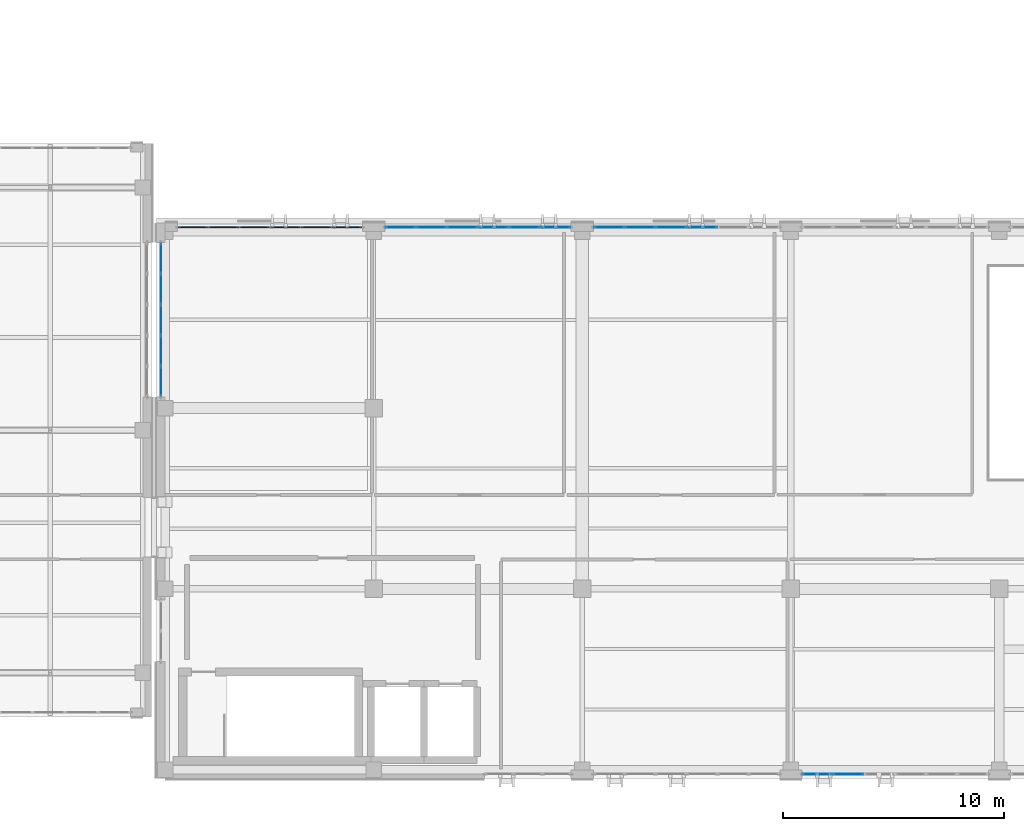
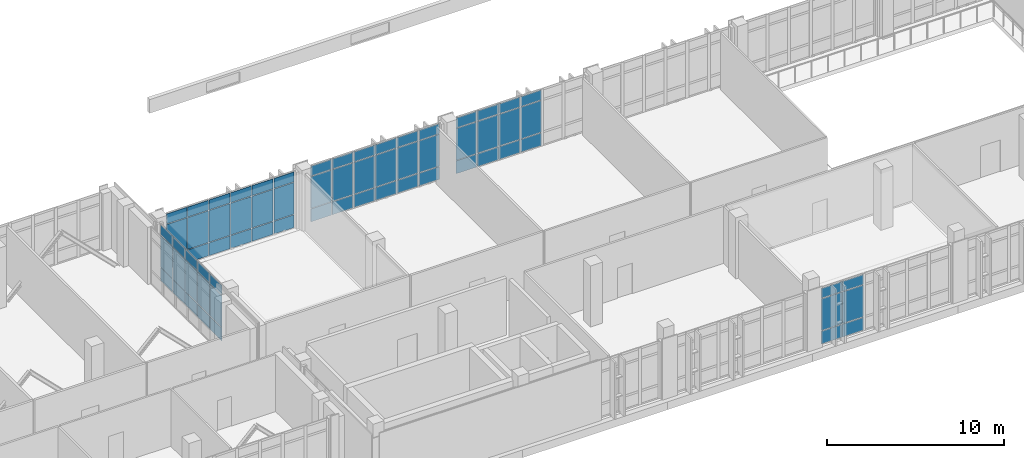
# One storey, part 113 of 158: 69 plates, 5 elements without a shape of their own.
"""IFC4 building model written with IfcOpenShell, lengths in metres."""

from ifc_helpers import new_model, si_unit, direction, frame, origin, origin_2d, place, context, subcontext, project, spatial, rectangle, extrude, material, layer, layer_set, type_object, element, aggregate, save


model = new_model("IFC4")

# Units and contexts
model_context = context("Model", 3, precision=1e-05, world=origin(), true_north=direction((0.0, 1.0)))
body_context = subcontext(model_context, "Body", "Model", "MODEL_VIEW")
ifc_project = project(units=[si_unit("LENGTHUNIT", "METRE"), si_unit("AREAUNIT", "SQUARE_METRE"), si_unit("VOLUMEUNIT", "CUBIC_METRE"), si_unit("PLANEANGLEUNIT", "RADIAN"), si_unit("MASSUNIT", "GRAM", prefix="KILO")], contexts=[model_context])

# Site, building, storey
site_placement = place(None, origin())
site = spatial("IfcSite", under=ifc_project, at=site_placement, CompositionType="ELEMENT")
building_placement = place(site_placement, origin())
building = spatial("IfcBuilding", under=site, at=building_placement, Name="Qalavern Law Courts", CompositionType="ELEMENT")
storey_placement = place(building_placement, frame((0.0, 0.0, 18.60009765625)))
storey = spatial("IfcBuildingStorey", under=building, at=storey_placement, Name="L04", CompositionType="ELEMENT", Elevation=18.60009765625)

# Curtain wall, plates
ifc_material_1 = material(Name="Anodised aluminium and insulated glazing", Category="aluminium")
ifc_layer_1 = layer(ifc_material_1, 0.18505859375)
ifc_layer_set_1 = layer_set([ifc_layer_1], Name="Anodised aluminium and insulated glazing")
curtain_wall_type = type_object("IfcCurtainWallType", Name="ENV-CW-HALL", PredefinedType="USERDEFINED", material=ifc_layer_set_1)
curtain_wall_1_placement = place(storey_placement, origin())
curtain_wall_1 = element("IfcCurtainWall", 1, at=curtain_wall_1_placement, inside=storey, type_object=curtain_wall_type, Name="V2 unitised curtain wall L04 west 1", ObjectType="UNITISED CURTAIN WALL", PredefinedType="USERDEFINED")
ifc_material_2 = material(Name="Insulated low-E acoustic glazing", Category="glass")
ifc_layer_2 = layer(ifc_material_2, 0.02392578125)
ifc_layer_set_2 = layer_set([ifc_layer_2], Name="Insulated low-E acoustic glazing")
plate_type_1 = type_object("IfcPlateType", Name="ENV-CWP-24", PredefinedType="CURTAIN_PANEL", material=ifc_layer_set_2)
plate_1_placement = place(storey_placement, frame((34.419921875, 28.7880859375, 0.0478515625), z_axis=(0.0, 0.0, 1.0), x_axis=(0.0, -1.0, 0.0)))
plate_1 = element("IfcPlate", 2, at=plate_1_placement, type_object=plate_type_1, Name="CW-02 panel 1.1", PredefinedType="CURTAIN_PANEL", context=body_context, shape_type="SweptSolid", body=[
    extrude(rectangle(XDim=1.327880859375, YDim=0.02392578125, at=origin_2d()), origin(), (0.0, 0.0, 1.0), 0.8779296875),
])
plate_2_placement = place(storey_placement, frame((34.419921875, 28.7880859375, 0.97412109375), z_axis=(0.0, 0.0, 1.0), x_axis=(0.0, -1.0, 0.0)))
plate_2 = element("IfcPlate", 3, at=plate_2_placement, type_object=plate_type_1, Name="CW-02 panel 1.2", PredefinedType="CURTAIN_PANEL", context=body_context, shape_type="SweptSolid", body=[
    extrude(rectangle(XDim=1.327880859375, YDim=0.02392578125, at=origin_2d()), origin(), (0.0, 0.0, 1.0), 2.177001953125),
])
plate_3_placement = place(storey_placement, frame((34.419921875, 28.7880859375, 3.19873046875), z_axis=(0.0, 0.0, 1.0), x_axis=(0.0, -1.0, 0.0)))
plate_3 = element("IfcPlate", 4, at=plate_3_placement, type_object=plate_type_1, Name="CW-02 panel 1.3", PredefinedType="CURTAIN_PANEL", context=body_context, shape_type="SweptSolid", body=[
    extrude(rectangle(XDim=1.327880859375, YDim=0.02392578125, at=origin_2d()), origin(), (0.0, 0.0, 1.0), 0.677978515625),
])
plate_4_placement = place(storey_placement, frame((34.419921875, 27.39990234375, 0.0478515625), z_axis=(0.0, 0.0, 1.0), x_axis=(0.0, -1.0, 0.0)))
plate_4 = element("IfcPlate", 5, at=plate_4_placement, type_object=plate_type_1, Name="CW-02 panel 2.1", PredefinedType="CURTAIN_PANEL", context=body_context, shape_type="SweptSolid", body=[
    extrude(rectangle(XDim=1.35205078125, YDim=0.02392578125, at=origin_2d()), origin(), (0.0, 0.0, 1.0), 0.8779296875),
])
plate_5_placement = place(storey_placement, frame((34.419921875, 27.39990234375, 0.97412109375), z_axis=(0.0, 0.0, 1.0), x_axis=(0.0, -1.0, 0.0)))
plate_5 = element("IfcPlate", 6, at=plate_5_placement, type_object=plate_type_1, Name="CW-02 panel 2.2", PredefinedType="CURTAIN_PANEL", context=body_context, shape_type="SweptSolid", body=[
    extrude(rectangle(XDim=1.35205078125, YDim=0.02392578125, at=origin_2d()), origin(), (0.0, 0.0, 1.0), 2.177001953125),
])
plate_6_placement = place(storey_placement, frame((34.419921875, 27.39990234375, 3.19873046875), z_axis=(0.0, 0.0, 1.0), x_axis=(0.0, -1.0, 0.0)))
plate_6 = element("IfcPlate", 7, at=plate_6_placement, type_object=plate_type_1, Name="CW-02 panel 2.3", PredefinedType="CURTAIN_PANEL", context=body_context, shape_type="SweptSolid", body=[
    extrude(rectangle(XDim=1.35205078125, YDim=0.02392578125, at=origin_2d()), origin(), (0.0, 0.0, 1.0), 0.677978515625),
])
plate_7_placement = place(storey_placement, frame((34.419921875, 26.0, 0.0478515625), z_axis=(0.0, 0.0, 1.0), x_axis=(0.0, -1.0, 0.0)))
plate_7 = element("IfcPlate", 8, at=plate_7_placement, type_object=plate_type_1, Name="CW-02 panel 3.1", PredefinedType="CURTAIN_PANEL", context=body_context, shape_type="SweptSolid", body=[
    extrude(rectangle(XDim=1.35205078125, YDim=0.02392578125, at=origin_2d()), origin(), (0.0, 0.0, 1.0), 0.8779296875),
])
plate_8_placement = place(storey_placement, frame((34.419921875, 26.0, 0.97412109375), z_axis=(0.0, 0.0, 1.0), x_axis=(0.0, -1.0, 0.0)))
plate_8 = element("IfcPlate", 9, at=plate_8_placement, type_object=plate_type_1, Name="CW-02 panel 3.2", PredefinedType="CURTAIN_PANEL", context=body_context, shape_type="SweptSolid", body=[
    extrude(rectangle(XDim=1.35205078125, YDim=0.02392578125, at=origin_2d()), origin(), (0.0, 0.0, 1.0), 2.177001953125),
])
plate_9_placement = place(storey_placement, frame((34.419921875, 26.0, 3.19873046875), z_axis=(0.0, 0.0, 1.0), x_axis=(0.0, -1.0, 0.0)))
plate_9 = element("IfcPlate", 10, at=plate_9_placement, type_object=plate_type_1, Name="CW-02 panel 3.3", PredefinedType="CURTAIN_PANEL", context=body_context, shape_type="SweptSolid", body=[
    extrude(rectangle(XDim=1.35205078125, YDim=0.02392578125, at=origin_2d()), origin(), (0.0, 0.0, 1.0), 0.677978515625),
])
plate_10_placement = place(storey_placement, frame((34.419921875, 24.60009765625, 0.0478515625), z_axis=(0.0, 0.0, 1.0), x_axis=(0.0, -1.0, 0.0)))
plate_10 = element("IfcPlate", 11, at=plate_10_placement, type_object=plate_type_1, Name="CW-02 panel 4.1", PredefinedType="CURTAIN_PANEL", context=body_context, shape_type="SweptSolid", body=[
    extrude(rectangle(XDim=1.35205078125, YDim=0.02392578125, at=origin_2d()), origin(), (0.0, 0.0, 1.0), 0.8779296875),
])
plate_11_placement = place(storey_placement, frame((34.419921875, 24.60009765625, 0.97412109375), z_axis=(0.0, 0.0, 1.0), x_axis=(0.0, -1.0, 0.0)))
plate_11 = element("IfcPlate", 12, at=plate_11_placement, type_object=plate_type_1, Name="CW-02 panel 4.2", PredefinedType="CURTAIN_PANEL", context=body_context, shape_type="SweptSolid", body=[
    extrude(rectangle(XDim=1.35205078125, YDim=0.02392578125, at=origin_2d()), origin(), (0.0, 0.0, 1.0), 2.177001953125),
])
plate_12_placement = place(storey_placement, frame((34.419921875, 24.60009765625, 3.19873046875), z_axis=(0.0, 0.0, 1.0), x_axis=(0.0, -1.0, 0.0)))
plate_12 = element("IfcPlate", 13, at=plate_12_placement, type_object=plate_type_1, Name="CW-02 panel 4.3", PredefinedType="CURTAIN_PANEL", context=body_context, shape_type="SweptSolid", body=[
    extrude(rectangle(XDim=1.35205078125, YDim=0.02392578125, at=origin_2d()), origin(), (0.0, 0.0, 1.0), 0.677978515625),
])
plate_13_placement = place(storey_placement, frame((34.419921875, 23.2119140625, 0.0478515625), z_axis=(0.0, 0.0, 1.0), x_axis=(0.0, -1.0, 0.0)))
plate_13 = element("IfcPlate", 14, at=plate_13_placement, type_object=plate_type_1, Name="CW-02 panel 5.1", PredefinedType="CURTAIN_PANEL", context=body_context, shape_type="SweptSolid", body=[
    extrude(rectangle(XDim=1.327880859375, YDim=0.02392578125, at=origin_2d()), origin(), (0.0, 0.0, 1.0), 0.8779296875),
])
plate_14_placement = place(storey_placement, frame((34.419921875, 23.2119140625, 0.97412109375), z_axis=(0.0, 0.0, 1.0), x_axis=(0.0, -1.0, 0.0)))
plate_14 = element("IfcPlate", 15, at=plate_14_placement, type_object=plate_type_1, Name="CW-02 panel 5.2", PredefinedType="CURTAIN_PANEL", context=body_context, shape_type="SweptSolid", body=[
    extrude(rectangle(XDim=1.327880859375, YDim=0.02392578125, at=origin_2d()), origin(), (0.0, 0.0, 1.0), 2.177001953125),
])
plate_15_placement = place(storey_placement, frame((34.419921875, 23.2119140625, 3.19873046875), z_axis=(0.0, 0.0, 1.0), x_axis=(0.0, -1.0, 0.0)))
plate_15 = element("IfcPlate", 16, at=plate_15_placement, type_object=plate_type_1, Name="CW-02 panel 5.3", PredefinedType="CURTAIN_PANEL", context=body_context, shape_type="SweptSolid", body=[
    extrude(rectangle(XDim=1.327880859375, YDim=0.02392578125, at=origin_2d()), origin(), (0.0, 0.0, 1.0), 0.677978515625),
])
aggregate(curtain_wall_1, [plate_1, plate_2, plate_3, plate_4, plate_5, plate_6, plate_7, plate_8, plate_9, plate_10, plate_11, plate_12, plate_13, plate_14, plate_15])

curtain_wall_2_placement = place(storey_placement, origin())
curtain_wall_2 = element("IfcCurtainWall", 17, at=curtain_wall_2_placement, inside=storey, type_object=curtain_wall_type, Name="V2 unitised curtain wall L04 south 3", ObjectType="UNITISED CURTAIN WALL", PredefinedType="USERDEFINED")
ifc_layer_3 = layer(ifc_material_2, 0.031982421875)
ifc_layer_set_3 = layer_set([ifc_layer_3], Name="Insulated low-E acoustic glazing")
plate_type_2 = type_object("IfcPlateType", Name="ENV-CWP-32", PredefinedType="CURTAIN_PANEL", material=ifc_layer_set_3)
plate_16_placement = place(storey_placement, frame((64.199462890625, 5.39990234375, 0.0478515625), z_axis=(0.0, 0.0, 1.0), x_axis=(1.0, 0.0, 0.0)))
plate_16 = element("IfcPlate", 18, at=plate_16_placement, type_object=plate_type_2, Name="CW-02 panel 1.1", PredefinedType="CURTAIN_PANEL", context=body_context, shape_type="SweptSolid", body=[
    extrude(rectangle(XDim=1.3369140625, YDim=0.031982421875, at=origin_2d()), origin(), (0.0, 0.0, 1.0), 0.8779296875),
])
plate_17_placement = place(storey_placement, frame((64.199462890625, 5.39990234375, 0.97412109375), z_axis=(0.0, 0.0, 1.0), x_axis=(1.0, 0.0, 0.0)))
plate_17 = element("IfcPlate", 19, at=plate_17_placement, type_object=plate_type_2, Name="CW-02 panel 1.2", PredefinedType="CURTAIN_PANEL", context=body_context, shape_type="SweptSolid", body=[
    extrude(rectangle(XDim=1.3369140625, YDim=0.031982421875, at=origin_2d()), origin(), (0.0, 0.0, 1.0), 2.177001953125),
])
plate_18_placement = place(storey_placement, frame((64.199462890625, 5.39990234375, 3.19873046875), z_axis=(0.0, 0.0, 1.0), x_axis=(1.0, 0.0, 0.0)))
plate_18 = element("IfcPlate", 20, at=plate_18_placement, type_object=plate_type_2, Name="CW-02 panel 1.3", PredefinedType="CURTAIN_PANEL", context=body_context, shape_type="SweptSolid", body=[
    extrude(rectangle(XDim=1.3369140625, YDim=0.031982421875, at=origin_2d()), origin(), (0.0, 0.0, 1.0), 0.677978515625),
])
plate_19_placement = place(storey_placement, frame((65.596435546875, 5.39990234375, 0.0478515625), z_axis=(0.0, 0.0, 1.0), x_axis=(1.0, 0.0, 0.0)))
plate_19 = element("IfcPlate", 21, at=plate_19_placement, type_object=plate_type_2, Name="CW-02 panel 2.1", PredefinedType="CURTAIN_PANEL", context=body_context, shape_type="SweptSolid", body=[
    extrude(rectangle(XDim=1.361083984375, YDim=0.031982421875, at=origin_2d()), origin(), (0.0, 0.0, 1.0), 0.8779296875),
])
plate_20_placement = place(storey_placement, frame((65.596435546875, 5.39990234375, 0.97412109375), z_axis=(0.0, 0.0, 1.0), x_axis=(1.0, 0.0, 0.0)))
plate_20 = element("IfcPlate", 22, at=plate_20_placement, type_object=plate_type_2, Name="CW-02 panel 2.2", PredefinedType="CURTAIN_PANEL", context=body_context, shape_type="SweptSolid", body=[
    extrude(rectangle(XDim=1.361083984375, YDim=0.031982421875, at=origin_2d()), origin(), (0.0, 0.0, 1.0), 2.177001953125),
])
plate_21_placement = place(storey_placement, frame((65.596435546875, 5.39990234375, 3.19873046875), z_axis=(0.0, 0.0, 1.0), x_axis=(1.0, 0.0, 0.0)))
plate_21 = element("IfcPlate", 23, at=plate_21_placement, type_object=plate_type_2, Name="CW-02 panel 2.3", PredefinedType="CURTAIN_PANEL", context=body_context, shape_type="SweptSolid", body=[
    extrude(rectangle(XDim=1.361083984375, YDim=0.031982421875, at=origin_2d()), origin(), (0.0, 0.0, 1.0), 0.677978515625),
])
aggregate(curtain_wall_2, [plate_16, plate_17, plate_18, plate_19, plate_20, plate_21])

curtain_wall_3_placement = place(storey_placement, origin())
curtain_wall_3 = element("IfcCurtainWall", 24, at=curtain_wall_3_placement, inside=storey, type_object=curtain_wall_type, Name="V2 unitised curtain wall L04 north 5", ObjectType="UNITISED CURTAIN WALL", PredefinedType="USERDEFINED")
ifc_layer_4 = layer(ifc_material_2, 0.0400390625)
ifc_layer_set_4 = layer_set([ifc_layer_4], Name="Insulated low-E acoustic glazing")
plate_type_3 = type_object("IfcPlateType", Name="ENV-CWP-40", PredefinedType="CURTAIN_PANEL", material=ifc_layer_set_4)
plate_22_placement = place(storey_placement, frame((58.960205078125, 30.199951171875, 0.0478515625), z_axis=(0.0, 0.0, 1.0), x_axis=(-1.0, 0.0, 0.0)))
plate_22 = element("IfcPlate", 25, at=plate_22_placement, type_object=plate_type_3, Name="CW-02 panel 3.1", PredefinedType="CURTAIN_PANEL", context=body_context, shape_type="SweptSolid", body=[
    extrude(rectangle(XDim=1.361083984375, YDim=0.0400390625, at=origin_2d()), origin(), (0.0, 0.0, 1.0), 0.8779296875),
])
plate_23_placement = place(storey_placement, frame((58.960205078125, 30.199951171875, 0.97412109375), z_axis=(0.0, 0.0, 1.0), x_axis=(-1.0, 0.0, 0.0)))
plate_23 = element("IfcPlate", 26, at=plate_23_placement, type_object=plate_type_3, Name="CW-02 panel 3.2", PredefinedType="CURTAIN_PANEL", context=body_context, shape_type="SweptSolid", body=[
    extrude(rectangle(XDim=1.361083984375, YDim=0.0400390625, at=origin_2d()), origin(), (0.0, 0.0, 1.0), 2.177001953125),
])
plate_24_placement = place(storey_placement, frame((58.960205078125, 30.199951171875, 3.19873046875), z_axis=(0.0, 0.0, 1.0), x_axis=(-1.0, 0.0, 0.0)))
plate_24 = element("IfcPlate", 27, at=plate_24_placement, type_object=plate_type_3, Name="CW-02 panel 3.3", PredefinedType="CURTAIN_PANEL", context=body_context, shape_type="SweptSolid", body=[
    extrude(rectangle(XDim=1.361083984375, YDim=0.0400390625, at=origin_2d()), origin(), (0.0, 0.0, 1.0), 0.677978515625),
])
plate_25_placement = place(storey_placement, frame((57.55126953125, 30.199951171875, 0.0478515625), z_axis=(0.0, 0.0, 1.0), x_axis=(-1.0, 0.0, 0.0)))
plate_25 = element("IfcPlate", 28, at=plate_25_placement, type_object=plate_type_3, Name="CW-02 panel 4.1", PredefinedType="CURTAIN_PANEL", context=body_context, shape_type="SweptSolid", body=[
    extrude(rectangle(XDim=1.361083984375, YDim=0.0400390625, at=origin_2d()), origin(), (0.0, 0.0, 1.0), 0.8779296875),
])
plate_26_placement = place(storey_placement, frame((57.55126953125, 30.199951171875, 0.97412109375), z_axis=(0.0, 0.0, 1.0), x_axis=(-1.0, 0.0, 0.0)))
plate_26 = element("IfcPlate", 29, at=plate_26_placement, type_object=plate_type_3, Name="CW-02 panel 4.2", PredefinedType="CURTAIN_PANEL", context=body_context, shape_type="SweptSolid", body=[
    extrude(rectangle(XDim=1.361083984375, YDim=0.0400390625, at=origin_2d()), origin(), (0.0, 0.0, 1.0), 2.177001953125),
])
plate_27_placement = place(storey_placement, frame((57.55126953125, 30.199951171875, 3.19873046875), z_axis=(0.0, 0.0, 1.0), x_axis=(-1.0, 0.0, 0.0)))
plate_27 = element("IfcPlate", 30, at=plate_27_placement, type_object=plate_type_3, Name="CW-02 panel 4.3", PredefinedType="CURTAIN_PANEL", context=body_context, shape_type="SweptSolid", body=[
    extrude(rectangle(XDim=1.361083984375, YDim=0.0400390625, at=origin_2d()), origin(), (0.0, 0.0, 1.0), 0.677978515625),
])
plate_28_placement = place(storey_placement, frame((56.14208984375, 30.199951171875, 0.0478515625), z_axis=(0.0, 0.0, 1.0), x_axis=(-1.0, 0.0, 0.0)))
plate_28 = element("IfcPlate", 31, at=plate_28_placement, type_object=plate_type_3, Name="CW-02 panel 5.1", PredefinedType="CURTAIN_PANEL", context=body_context, shape_type="SweptSolid", body=[
    extrude(rectangle(XDim=1.361083984375, YDim=0.0400390625, at=origin_2d()), origin(), (0.0, 0.0, 1.0), 0.8779296875),
])
plate_29_placement = place(storey_placement, frame((56.14208984375, 30.199951171875, 0.97412109375), z_axis=(0.0, 0.0, 1.0), x_axis=(-1.0, 0.0, 0.0)))
plate_29 = element("IfcPlate", 32, at=plate_29_placement, type_object=plate_type_3, Name="CW-02 panel 5.2", PredefinedType="CURTAIN_PANEL", context=body_context, shape_type="SweptSolid", body=[
    extrude(rectangle(XDim=1.361083984375, YDim=0.0400390625, at=origin_2d()), origin(), (0.0, 0.0, 1.0), 2.177001953125),
])
plate_30_placement = place(storey_placement, frame((56.14208984375, 30.199951171875, 3.19873046875), z_axis=(0.0, 0.0, 1.0), x_axis=(-1.0, 0.0, 0.0)))
plate_30 = element("IfcPlate", 33, at=plate_30_placement, type_object=plate_type_3, Name="CW-02 panel 5.3", PredefinedType="CURTAIN_PANEL", context=body_context, shape_type="SweptSolid", body=[
    extrude(rectangle(XDim=1.361083984375, YDim=0.0400390625, at=origin_2d()), origin(), (0.0, 0.0, 1.0), 0.677978515625),
])
plate_31_placement = place(storey_placement, frame((54.7451171875, 30.199951171875, 0.0478515625), z_axis=(0.0, 0.0, 1.0), x_axis=(-1.0, 0.0, 0.0)))
plate_31 = element("IfcPlate", 34, at=plate_31_placement, type_object=plate_type_3, Name="CW-02 panel 6.1", PredefinedType="CURTAIN_PANEL", context=body_context, shape_type="SweptSolid", body=[
    extrude(rectangle(XDim=1.337158203125, YDim=0.0400390625, at=origin_2d()), origin(), (0.0, 0.0, 1.0), 0.8779296875),
])
plate_32_placement = place(storey_placement, frame((54.7451171875, 30.199951171875, 0.97412109375), z_axis=(0.0, 0.0, 1.0), x_axis=(-1.0, 0.0, 0.0)))
plate_32 = element("IfcPlate", 35, at=plate_32_placement, type_object=plate_type_3, Name="CW-02 panel 6.2", PredefinedType="CURTAIN_PANEL", context=body_context, shape_type="SweptSolid", body=[
    extrude(rectangle(XDim=1.337158203125, YDim=0.0400390625, at=origin_2d()), origin(), (0.0, 0.0, 1.0), 2.177001953125),
])
plate_33_placement = place(storey_placement, frame((54.7451171875, 30.199951171875, 3.19873046875), z_axis=(0.0, 0.0, 1.0), x_axis=(-1.0, 0.0, 0.0)))
plate_33 = element("IfcPlate", 36, at=plate_33_placement, type_object=plate_type_3, Name="CW-02 panel 6.3", PredefinedType="CURTAIN_PANEL", context=body_context, shape_type="SweptSolid", body=[
    extrude(rectangle(XDim=1.337158203125, YDim=0.0400390625, at=origin_2d()), origin(), (0.0, 0.0, 1.0), 0.677978515625),
])
aggregate(curtain_wall_3, [plate_22, plate_23, plate_24, plate_25, plate_26, plate_27, plate_28, plate_29, plate_30, plate_31, plate_32, plate_33])

curtain_wall_4_placement = place(storey_placement, origin())
curtain_wall_4 = element("IfcCurtainWall", 37, at=curtain_wall_4_placement, inside=storey, type_object=curtain_wall_type, Name="V2 unitised curtain wall L04 north 6", ObjectType="UNITISED CURTAIN WALL", PredefinedType="USERDEFINED")
ifc_layer_5 = layer(ifc_material_2, 0.0439453125)
ifc_layer_set_5 = layer_set([ifc_layer_5], Name="Insulated low-E acoustic glazing")
plate_type_4 = type_object("IfcPlateType", Name="ENV-CWP-44", PredefinedType="CURTAIN_PANEL", material=ifc_layer_set_5)
plate_34_placement = place(storey_placement, frame((52.31201171875, 30.199951171875, 0.0478515625), z_axis=(0.0, 0.0, 1.0), x_axis=(-1.0, 0.0, 0.0)))
plate_34 = element("IfcPlate", 38, at=plate_34_placement, type_object=plate_type_4, Name="CW-02 panel 1.1", PredefinedType="CURTAIN_PANEL", context=body_context, shape_type="SweptSolid", body=[
    extrude(rectangle(XDim=1.337158203125, YDim=0.0439453125, at=origin_2d()), origin(), (0.0, 0.0, 1.0), 0.8779296875),
])
plate_35_placement = place(storey_placement, frame((52.31201171875, 30.199951171875, 0.97412109375), z_axis=(0.0, 0.0, 1.0), x_axis=(-1.0, 0.0, 0.0)))
plate_35 = element("IfcPlate", 39, at=plate_35_placement, type_object=plate_type_4, Name="CW-02 panel 1.2", PredefinedType="CURTAIN_PANEL", context=body_context, shape_type="SweptSolid", body=[
    extrude(rectangle(XDim=1.337158203125, YDim=0.0439453125, at=origin_2d()), origin(), (0.0, 0.0, 1.0), 2.177001953125),
])
plate_36_placement = place(storey_placement, frame((52.31201171875, 30.199951171875, 3.19873046875), z_axis=(0.0, 0.0, 1.0), x_axis=(-1.0, 0.0, 0.0)))
plate_36 = element("IfcPlate", 40, at=plate_36_placement, type_object=plate_type_4, Name="CW-02 panel 1.3", PredefinedType="CURTAIN_PANEL", context=body_context, shape_type="SweptSolid", body=[
    extrude(rectangle(XDim=1.337158203125, YDim=0.0439453125, at=origin_2d()), origin(), (0.0, 0.0, 1.0), 0.677978515625),
])
plate_37_placement = place(storey_placement, frame((50.9150390625, 30.199951171875, 0.0478515625), z_axis=(0.0, 0.0, 1.0), x_axis=(-1.0, 0.0, 0.0)))
plate_37 = element("IfcPlate", 41, at=plate_37_placement, type_object=plate_type_4, Name="CW-02 panel 2.1", PredefinedType="CURTAIN_PANEL", context=body_context, shape_type="SweptSolid", body=[
    extrude(rectangle(XDim=1.361083984375, YDim=0.0439453125, at=origin_2d()), origin(), (0.0, 0.0, 1.0), 0.8779296875),
])
plate_38_placement = place(storey_placement, frame((50.9150390625, 30.199951171875, 0.97412109375), z_axis=(0.0, 0.0, 1.0), x_axis=(-1.0, 0.0, 0.0)))
plate_38 = element("IfcPlate", 42, at=plate_38_placement, type_object=plate_type_4, Name="CW-02 panel 2.2", PredefinedType="CURTAIN_PANEL", context=body_context, shape_type="SweptSolid", body=[
    extrude(rectangle(XDim=1.361083984375, YDim=0.0439453125, at=origin_2d()), origin(), (0.0, 0.0, 1.0), 2.177001953125),
])
plate_39_placement = place(storey_placement, frame((50.9150390625, 30.199951171875, 3.19873046875), z_axis=(0.0, 0.0, 1.0), x_axis=(-1.0, 0.0, 0.0)))
plate_39 = element("IfcPlate", 43, at=plate_39_placement, type_object=plate_type_4, Name="CW-02 panel 2.3", PredefinedType="CURTAIN_PANEL", context=body_context, shape_type="SweptSolid", body=[
    extrude(rectangle(XDim=1.361083984375, YDim=0.0439453125, at=origin_2d()), origin(), (0.0, 0.0, 1.0), 0.677978515625),
])
plate_40_placement = place(storey_placement, frame((49.505859375, 30.199951171875, 0.0478515625), z_axis=(0.0, 0.0, 1.0), x_axis=(-1.0, 0.0, 0.0)))
plate_40 = element("IfcPlate", 44, at=plate_40_placement, type_object=plate_type_4, Name="CW-02 panel 3.1", PredefinedType="CURTAIN_PANEL", context=body_context, shape_type="SweptSolid", body=[
    extrude(rectangle(XDim=1.361083984375, YDim=0.0439453125, at=origin_2d()), origin(), (0.0, 0.0, 1.0), 0.8779296875),
])
plate_41_placement = place(storey_placement, frame((49.505859375, 30.199951171875, 0.97412109375), z_axis=(0.0, 0.0, 1.0), x_axis=(-1.0, 0.0, 0.0)))
plate_41 = element("IfcPlate", 45, at=plate_41_placement, type_object=plate_type_4, Name="CW-02 panel 3.2", PredefinedType="CURTAIN_PANEL", context=body_context, shape_type="SweptSolid", body=[
    extrude(rectangle(XDim=1.361083984375, YDim=0.0439453125, at=origin_2d()), origin(), (0.0, 0.0, 1.0), 2.177001953125),
])
plate_42_placement = place(storey_placement, frame((49.505859375, 30.199951171875, 3.19873046875), z_axis=(0.0, 0.0, 1.0), x_axis=(-1.0, 0.0, 0.0)))
plate_42 = element("IfcPlate", 46, at=plate_42_placement, type_object=plate_type_4, Name="CW-02 panel 3.3", PredefinedType="CURTAIN_PANEL", context=body_context, shape_type="SweptSolid", body=[
    extrude(rectangle(XDim=1.361083984375, YDim=0.0439453125, at=origin_2d()), origin(), (0.0, 0.0, 1.0), 0.677978515625),
])
plate_43_placement = place(storey_placement, frame((48.096923828125, 30.199951171875, 0.0478515625), z_axis=(0.0, 0.0, 1.0), x_axis=(-1.0, 0.0, 0.0)))
plate_43 = element("IfcPlate", 47, at=plate_43_placement, type_object=plate_type_4, Name="CW-02 panel 4.1", PredefinedType="CURTAIN_PANEL", context=body_context, shape_type="SweptSolid", body=[
    extrude(rectangle(XDim=1.361083984375, YDim=0.0439453125, at=origin_2d()), origin(), (0.0, 0.0, 1.0), 0.8779296875),
])
plate_44_placement = place(storey_placement, frame((48.096923828125, 30.199951171875, 0.97412109375), z_axis=(0.0, 0.0, 1.0), x_axis=(-1.0, 0.0, 0.0)))
plate_44 = element("IfcPlate", 48, at=plate_44_placement, type_object=plate_type_4, Name="CW-02 panel 4.2", PredefinedType="CURTAIN_PANEL", context=body_context, shape_type="SweptSolid", body=[
    extrude(rectangle(XDim=1.361083984375, YDim=0.0439453125, at=origin_2d()), origin(), (0.0, 0.0, 1.0), 2.177001953125),
])
plate_45_placement = place(storey_placement, frame((48.096923828125, 30.199951171875, 3.19873046875), z_axis=(0.0, 0.0, 1.0), x_axis=(-1.0, 0.0, 0.0)))
plate_45 = element("IfcPlate", 49, at=plate_45_placement, type_object=plate_type_4, Name="CW-02 panel 4.3", PredefinedType="CURTAIN_PANEL", context=body_context, shape_type="SweptSolid", body=[
    extrude(rectangle(XDim=1.361083984375, YDim=0.0439453125, at=origin_2d()), origin(), (0.0, 0.0, 1.0), 0.677978515625),
])
plate_46_placement = place(storey_placement, frame((46.68798828125, 30.199951171875, 0.0478515625), z_axis=(0.0, 0.0, 1.0), x_axis=(-1.0, 0.0, 0.0)))
plate_46 = element("IfcPlate", 50, at=plate_46_placement, type_object=plate_type_4, Name="CW-02 panel 5.1", PredefinedType="CURTAIN_PANEL", context=body_context, shape_type="SweptSolid", body=[
    extrude(rectangle(XDim=1.361083984375, YDim=0.0439453125, at=origin_2d()), origin(), (0.0, 0.0, 1.0), 0.8779296875),
])
plate_47_placement = place(storey_placement, frame((46.68798828125, 30.199951171875, 0.97412109375), z_axis=(0.0, 0.0, 1.0), x_axis=(-1.0, 0.0, 0.0)))
plate_47 = element("IfcPlate", 51, at=plate_47_placement, type_object=plate_type_4, Name="CW-02 panel 5.2", PredefinedType="CURTAIN_PANEL", context=body_context, shape_type="SweptSolid", body=[
    extrude(rectangle(XDim=1.361083984375, YDim=0.0439453125, at=origin_2d()), origin(), (0.0, 0.0, 1.0), 2.177001953125),
])
plate_48_placement = place(storey_placement, frame((46.68798828125, 30.199951171875, 3.19873046875), z_axis=(0.0, 0.0, 1.0), x_axis=(-1.0, 0.0, 0.0)))
plate_48 = element("IfcPlate", 52, at=plate_48_placement, type_object=plate_type_4, Name="CW-02 panel 5.3", PredefinedType="CURTAIN_PANEL", context=body_context, shape_type="SweptSolid", body=[
    extrude(rectangle(XDim=1.361083984375, YDim=0.0439453125, at=origin_2d()), origin(), (0.0, 0.0, 1.0), 0.677978515625),
])
plate_49_placement = place(storey_placement, frame((45.290771484375, 30.199951171875, 0.0478515625), z_axis=(0.0, 0.0, 1.0), x_axis=(-1.0, 0.0, 0.0)))
plate_49 = element("IfcPlate", 53, at=plate_49_placement, type_object=plate_type_4, Name="CW-02 panel 6.1", PredefinedType="CURTAIN_PANEL", context=body_context, shape_type="SweptSolid", body=[
    extrude(rectangle(XDim=1.337158203125, YDim=0.0439453125, at=origin_2d()), origin(), (0.0, 0.0, 1.0), 0.8779296875),
])
plate_50_placement = place(storey_placement, frame((45.290771484375, 30.199951171875, 0.97412109375), z_axis=(0.0, 0.0, 1.0), x_axis=(-1.0, 0.0, 0.0)))
plate_50 = element("IfcPlate", 54, at=plate_50_placement, type_object=plate_type_4, Name="CW-02 panel 6.2", PredefinedType="CURTAIN_PANEL", context=body_context, shape_type="SweptSolid", body=[
    extrude(rectangle(XDim=1.337158203125, YDim=0.0439453125, at=origin_2d()), origin(), (0.0, 0.0, 1.0), 2.177001953125),
])
plate_51_placement = place(storey_placement, frame((45.290771484375, 30.199951171875, 3.19873046875), z_axis=(0.0, 0.0, 1.0), x_axis=(-1.0, 0.0, 0.0)))
plate_51 = element("IfcPlate", 55, at=plate_51_placement, type_object=plate_type_4, Name="CW-02 panel 6.3", PredefinedType="CURTAIN_PANEL", context=body_context, shape_type="SweptSolid", body=[
    extrude(rectangle(XDim=1.337158203125, YDim=0.0439453125, at=origin_2d()), origin(), (0.0, 0.0, 1.0), 0.677978515625),
])
aggregate(curtain_wall_4, [plate_34, plate_35, plate_36, plate_37, plate_38, plate_39, plate_40, plate_41, plate_42, plate_43, plate_44, plate_45, plate_46, plate_47, plate_48, plate_49, plate_50, plate_51])

curtain_wall_5_placement = place(storey_placement, origin())
curtain_wall_5 = element("IfcCurtainWall", 56, at=curtain_wall_5_placement, inside=storey, type_object=curtain_wall_type, Name="V2 unitised curtain wall L04 north 7", ObjectType="UNITISED CURTAIN WALL", PredefinedType="USERDEFINED")
ifc_layer_6 = layer(ifc_material_2, 0.048095703125)
ifc_layer_set_6 = layer_set([ifc_layer_6], Name="Insulated low-E acoustic glazing")
plate_type_5 = type_object("IfcPlateType", Name="ENV-CWP-48", PredefinedType="CURTAIN_PANEL", material=ifc_layer_set_6)
plate_52_placement = place(storey_placement, frame((42.861572265625, 30.199951171875, 0.0478515625), z_axis=(0.0, 0.0, 1.0), x_axis=(-1.0, 0.0, 0.0)))
plate_52 = element("IfcPlate", 57, at=plate_52_placement, type_object=plate_type_5, Name="CW-02 panel 1.1", PredefinedType="CURTAIN_PANEL", context=body_context, shape_type="SweptSolid", body=[
    extrude(rectangle(XDim=1.32958984375, YDim=0.048095703125, at=origin_2d()), origin(), (0.0, 0.0, 1.0), 0.8779296875),
])
plate_53_placement = place(storey_placement, frame((42.861572265625, 30.199951171875, 0.97412109375), z_axis=(0.0, 0.0, 1.0), x_axis=(-1.0, 0.0, 0.0)))
plate_53 = element("IfcPlate", 58, at=plate_53_placement, type_object=plate_type_5, Name="CW-02 panel 1.2", PredefinedType="CURTAIN_PANEL", context=body_context, shape_type="SweptSolid", body=[
    extrude(rectangle(XDim=1.32958984375, YDim=0.048095703125, at=origin_2d()), origin(), (0.0, 0.0, 1.0), 2.177001953125),
])
plate_54_placement = place(storey_placement, frame((42.861572265625, 30.199951171875, 3.19873046875), z_axis=(0.0, 0.0, 1.0), x_axis=(-1.0, 0.0, 0.0)))
plate_54 = element("IfcPlate", 59, at=plate_54_placement, type_object=plate_type_5, Name="CW-02 panel 1.3", PredefinedType="CURTAIN_PANEL", context=body_context, shape_type="SweptSolid", body=[
    extrude(rectangle(XDim=1.32958984375, YDim=0.048095703125, at=origin_2d()), origin(), (0.0, 0.0, 1.0), 0.677978515625),
])
plate_55_placement = place(storey_placement, frame((41.471923828125, 30.199951171875, 0.0478515625), z_axis=(0.0, 0.0, 1.0), x_axis=(-1.0, 0.0, 0.0)))
plate_55 = element("IfcPlate", 60, at=plate_55_placement, type_object=plate_type_5, Name="CW-02 panel 2.1", PredefinedType="CURTAIN_PANEL", context=body_context, shape_type="SweptSolid", body=[
    extrude(rectangle(XDim=1.353515625, YDim=0.048095703125, at=origin_2d()), origin(), (0.0, 0.0, 1.0), 0.8779296875),
])
plate_56_placement = place(storey_placement, frame((41.471923828125, 30.199951171875, 0.97412109375), z_axis=(0.0, 0.0, 1.0), x_axis=(-1.0, 0.0, 0.0)))
plate_56 = element("IfcPlate", 61, at=plate_56_placement, type_object=plate_type_5, Name="CW-02 panel 2.2", PredefinedType="CURTAIN_PANEL", context=body_context, shape_type="SweptSolid", body=[
    extrude(rectangle(XDim=1.353515625, YDim=0.048095703125, at=origin_2d()), origin(), (0.0, 0.0, 1.0), 2.177001953125),
])
plate_57_placement = place(storey_placement, frame((41.471923828125, 30.199951171875, 3.19873046875), z_axis=(0.0, 0.0, 1.0), x_axis=(-1.0, 0.0, 0.0)))
plate_57 = element("IfcPlate", 62, at=plate_57_placement, type_object=plate_type_5, Name="CW-02 panel 2.3", PredefinedType="CURTAIN_PANEL", context=body_context, shape_type="SweptSolid", body=[
    extrude(rectangle(XDim=1.353515625, YDim=0.048095703125, at=origin_2d()), origin(), (0.0, 0.0, 1.0), 0.677978515625),
])
plate_58_placement = place(storey_placement, frame((40.0703125, 30.199951171875, 0.0478515625), z_axis=(0.0, 0.0, 1.0), x_axis=(-1.0, 0.0, 0.0)))
plate_58 = element("IfcPlate", 63, at=plate_58_placement, type_object=plate_type_5, Name="CW-02 panel 3.1", PredefinedType="CURTAIN_PANEL", context=body_context, shape_type="SweptSolid", body=[
    extrude(rectangle(XDim=1.353515625, YDim=0.048095703125, at=origin_2d()), origin(), (0.0, 0.0, 1.0), 0.8779296875),
])
plate_59_placement = place(storey_placement, frame((40.0703125, 30.199951171875, 0.97412109375), z_axis=(0.0, 0.0, 1.0), x_axis=(-1.0, 0.0, 0.0)))
plate_59 = element("IfcPlate", 64, at=plate_59_placement, type_object=plate_type_5, Name="CW-02 panel 3.2", PredefinedType="CURTAIN_PANEL", context=body_context, shape_type="SweptSolid", body=[
    extrude(rectangle(XDim=1.353515625, YDim=0.048095703125, at=origin_2d()), origin(), (0.0, 0.0, 1.0), 2.177001953125),
])
plate_60_placement = place(storey_placement, frame((40.0703125, 30.199951171875, 3.19873046875), z_axis=(0.0, 0.0, 1.0), x_axis=(-1.0, 0.0, 0.0)))
plate_60 = element("IfcPlate", 65, at=plate_60_placement, type_object=plate_type_5, Name="CW-02 panel 3.3", PredefinedType="CURTAIN_PANEL", context=body_context, shape_type="SweptSolid", body=[
    extrude(rectangle(XDim=1.353515625, YDim=0.048095703125, at=origin_2d()), origin(), (0.0, 0.0, 1.0), 0.677978515625),
])
plate_61_placement = place(storey_placement, frame((38.6689453125, 30.199951171875, 0.0478515625), z_axis=(0.0, 0.0, 1.0), x_axis=(-1.0, 0.0, 0.0)))
plate_61 = element("IfcPlate", 66, at=plate_61_placement, type_object=plate_type_5, Name="CW-02 panel 4.1", PredefinedType="CURTAIN_PANEL", context=body_context, shape_type="SweptSolid", body=[
    extrude(rectangle(XDim=1.353515625, YDim=0.048095703125, at=origin_2d()), origin(), (0.0, 0.0, 1.0), 0.8779296875),
])
plate_62_placement = place(storey_placement, frame((38.6689453125, 30.199951171875, 0.97412109375), z_axis=(0.0, 0.0, 1.0), x_axis=(-1.0, 0.0, 0.0)))
plate_62 = element("IfcPlate", 67, at=plate_62_placement, type_object=plate_type_5, Name="CW-02 panel 4.2", PredefinedType="CURTAIN_PANEL", context=body_context, shape_type="SweptSolid", body=[
    extrude(rectangle(XDim=1.353515625, YDim=0.048095703125, at=origin_2d()), origin(), (0.0, 0.0, 1.0), 2.177001953125),
])
plate_63_placement = place(storey_placement, frame((38.6689453125, 30.199951171875, 3.19873046875), z_axis=(0.0, 0.0, 1.0), x_axis=(-1.0, 0.0, 0.0)))
plate_63 = element("IfcPlate", 68, at=plate_63_placement, type_object=plate_type_5, Name="CW-02 panel 4.3", PredefinedType="CURTAIN_PANEL", context=body_context, shape_type="SweptSolid", body=[
    extrude(rectangle(XDim=1.353515625, YDim=0.048095703125, at=origin_2d()), origin(), (0.0, 0.0, 1.0), 0.677978515625),
])
plate_64_placement = place(storey_placement, frame((37.267333984375, 30.199951171875, 0.0478515625), z_axis=(0.0, 0.0, 1.0), x_axis=(-1.0, 0.0, 0.0)))
plate_64 = element("IfcPlate", 69, at=plate_64_placement, type_object=plate_type_5, Name="CW-02 panel 5.1", PredefinedType="CURTAIN_PANEL", context=body_context, shape_type="SweptSolid", body=[
    extrude(rectangle(XDim=1.353515625, YDim=0.048095703125, at=origin_2d()), origin(), (0.0, 0.0, 1.0), 0.8779296875),
])
plate_65_placement = place(storey_placement, frame((37.267333984375, 30.199951171875, 0.97412109375), z_axis=(0.0, 0.0, 1.0), x_axis=(-1.0, 0.0, 0.0)))
plate_65 = element("IfcPlate", 70, at=plate_65_placement, type_object=plate_type_5, Name="CW-02 panel 5.2", PredefinedType="CURTAIN_PANEL", context=body_context, shape_type="SweptSolid", body=[
    extrude(rectangle(XDim=1.353515625, YDim=0.048095703125, at=origin_2d()), origin(), (0.0, 0.0, 1.0), 2.177001953125),
])
plate_66_placement = place(storey_placement, frame((37.267333984375, 30.199951171875, 3.19873046875), z_axis=(0.0, 0.0, 1.0), x_axis=(-1.0, 0.0, 0.0)))
plate_66 = element("IfcPlate", 71, at=plate_66_placement, type_object=plate_type_5, Name="CW-02 panel 5.3", PredefinedType="CURTAIN_PANEL", context=body_context, shape_type="SweptSolid", body=[
    extrude(rectangle(XDim=1.353515625, YDim=0.048095703125, at=origin_2d()), origin(), (0.0, 0.0, 1.0), 0.677978515625),
])
plate_67_placement = place(storey_placement, frame((35.877685546875, 30.199951171875, 0.0478515625), z_axis=(0.0, 0.0, 1.0), x_axis=(-1.0, 0.0, 0.0)))
plate_67 = element("IfcPlate", 72, at=plate_67_placement, type_object=plate_type_5, Name="CW-02 panel 6.1", PredefinedType="CURTAIN_PANEL", context=body_context, shape_type="SweptSolid", body=[
    extrude(rectangle(XDim=1.32958984375, YDim=0.048095703125, at=origin_2d()), origin(), (0.0, 0.0, 1.0), 0.8779296875),
])
plate_68_placement = place(storey_placement, frame((35.877685546875, 30.199951171875, 0.97412109375), z_axis=(0.0, 0.0, 1.0), x_axis=(-1.0, 0.0, 0.0)))
plate_68 = element("IfcPlate", 73, at=plate_68_placement, type_object=plate_type_5, Name="CW-02 panel 6.2", PredefinedType="CURTAIN_PANEL", context=body_context, shape_type="SweptSolid", body=[
    extrude(rectangle(XDim=1.32958984375, YDim=0.048095703125, at=origin_2d()), origin(), (0.0, 0.0, 1.0), 2.177001953125),
])
plate_69_placement = place(storey_placement, frame((35.877685546875, 30.199951171875, 3.19873046875), z_axis=(0.0, 0.0, 1.0), x_axis=(-1.0, 0.0, 0.0)))
plate_69 = element("IfcPlate", 74, at=plate_69_placement, type_object=plate_type_5, Name="CW-02 panel 6.3", PredefinedType="CURTAIN_PANEL", context=body_context, shape_type="SweptSolid", body=[
    extrude(rectangle(XDim=1.32958984375, YDim=0.048095703125, at=origin_2d()), origin(), (0.0, 0.0, 1.0), 0.677978515625),
])
aggregate(curtain_wall_5, [plate_52, plate_53, plate_54, plate_55, plate_56, plate_57, plate_58, plate_59, plate_60, plate_61, plate_62, plate_63, plate_64, plate_65, plate_66, plate_67, plate_68, plate_69])

save(model, "model.ifc")
